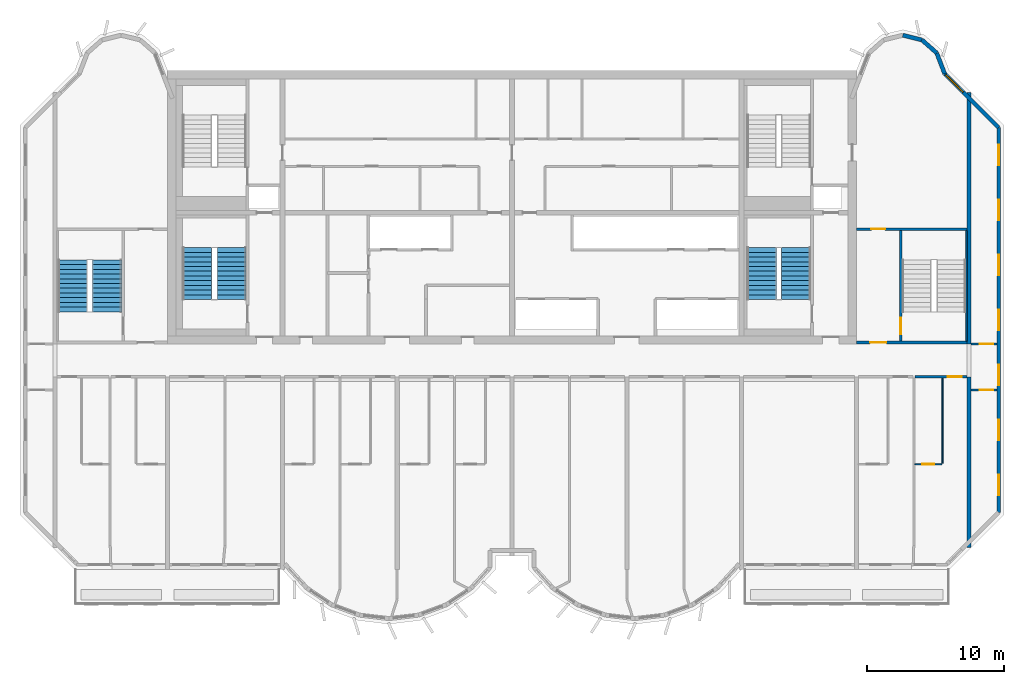
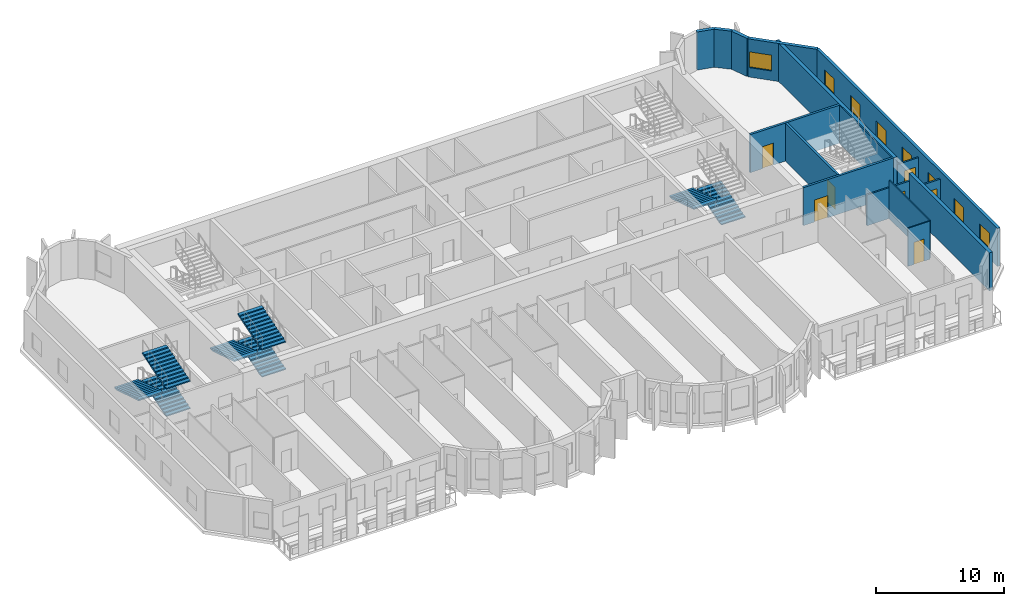
# One storey, part 8 of 11: 16 walls, 8 stair flights, 8 windows, 7 doors, 15 openings, 3 elements without a shape of their own.
"""IFC4 building model written with IfcOpenShell, lengths in metres."""

from ifc_helpers import new_model, si_unit, direction, frame, frame_2d, origin, place, context, subcontext, project, spatial, polyline, rectangle, outline, extrude, source, transform, mapped, material, layer, layer_set, type_object, element, fill, aggregate, save


model = new_model("IFC4")

# Units and contexts
model_context = context("Model", 3, precision=1e-05, world=origin(), true_north=direction((0.0, 1.0)))
body_context = subcontext(model_context, "Body", "Model", "MODEL_VIEW")
ifc_project = project(units=[si_unit("LENGTHUNIT", "METRE"), si_unit("AREAUNIT", "SQUARE_METRE"), si_unit("VOLUMEUNIT", "CUBIC_METRE"), si_unit("PLANEANGLEUNIT", "RADIAN"), si_unit("MASSUNIT", "GRAM", prefix="KILO")], contexts=[model_context])

# Site, building, storey
site_placement = place(None, origin())
site = spatial("IfcSite", under=ifc_project, at=site_placement, CompositionType="ELEMENT")
building_placement = place(site_placement, origin())
building = spatial("IfcBuilding", under=site, at=building_placement, Name="Vanashikhar Sky Hotel", CompositionType="ELEMENT")
storey_placement = place(building_placement, frame((0.0, 0.0, 245.199951171875)))
storey = spatial("IfcBuildingStorey", under=building, at=storey_placement, Name="L59", CompositionType="ELEMENT", Elevation=245.199951171875)

# Walls
ifc_material_1 = material(Name="Concrete M60", Category="concrete")
ifc_layer_1 = layer(ifc_material_1, 0.300048828125)
ifc_layer_set_1 = layer_set([ifc_layer_1], Name="RC shear wall 300 Concrete M60")
wall_type_1 = type_object("IfcWallType", Name="RC shear wall 300 Concrete M60", PredefinedType="SHEAR", material=ifc_layer_set_1)
shared_shape_1 = source(origin(), body_context, "Body", "SweptSolid", [
    extrude(rectangle(XDim=12.5, YDim=0.300048828125, at=frame_2d((6.25, 0.0))), origin(), (0.0, 0.0, 1.0), 3.6201171875),
])
wall_1_placement = place(storey_placement, frame((83.85009765625, 7.10009765625, 0.0), z_axis=(0.0, 0.0, 1.0), x_axis=(0.0, 1.0, 0.0)))
element("IfcWall", 1, at=wall_1_placement, inside=storey, type_object=wall_type_1, Name="CW-L59-XW11-1", PredefinedType="SHEAR", context=body_context, shape_type="MappedRepresentation", body=[
    mapped(shared_shape_1, transform((0.0, 0.0, 0.0), scale=1.0)),
])
shared_shape_2 = source(origin(), body_context, "Body", "SweptSolid", [
    extrude(rectangle(XDim=18.39990234375, YDim=0.300048828125, at=frame_2d((9.199951171875, 0.0))), origin(), (0.0, 0.0, 1.0), 3.6201171875),
])
wall_2_placement = place(storey_placement, frame((83.85009765625, 22.0, 0.0), z_axis=(0.0, 0.0, 1.0), x_axis=(0.0, 1.0, 0.0)))
element("IfcWall", 2, at=wall_2_placement, inside=storey, type_object=wall_type_1, Name="CW-L59-XW11-2", PredefinedType="SHEAR", context=body_context, shape_type="MappedRepresentation", body=[
    mapped(shared_shape_2, transform((0.0, 0.0, 0.0), scale=1.0)),
])

# Wall, opening, window
ifc_material_2 = material(Name="Concrete M50", Category="concrete")
ifc_layer_2 = layer(ifc_material_2, 0.300048828125)
ifc_layer_set_2 = layer_set([ifc_layer_2], Name="Lobe wall 300")
wall_type_2 = type_object("IfcWallType", Name="Lobe wall 300", PredefinedType="SOLIDWALL", material=ifc_layer_set_2)
shared_shape_3 = source(origin(), body_context, "Body", "SweptSolid", [
    extrude(rectangle(XDim=5.576416015625, YDim=0.300048828125, at=frame_2d((2.7880859375, 0.0))), origin(), (0.0, 0.0, 1.0), 3.6201171875),
])
wall_3_placement = place(storey_placement, frame((86.0, 37.834228515625, 0.0), z_axis=(0.0, 0.0, 1.0), x_axis=(-0.707106781187, 0.707106781187, 0.0)))
wall_3 = element("IfcWall", 3, at=wall_3_placement, inside=storey, type_object=wall_type_2, Name="Corner wall", PredefinedType="SOLIDWALL", context=body_context, shape_type="MappedRepresentation", body=[
    mapped(shared_shape_3, transform((0.0, 0.0, 0.0), scale=1.0)),
])
shared_shape_4 = source(origin(), body_context, "Body", "SweptSolid", [
    extrude(rectangle(XDim=1.800048828125, YDim=1.5, at=frame_2d((0.89990234375, 0.75))), frame((0.0, 0.16015625, 0.0), z_axis=(0.0, -1.0, 0.0), x_axis=(1.0, 0.0, 0.0)), (0.0, 0.0, 1.0), 0.320068359375),
])
opening_1_placement = place(wall_3_placement, frame((3.658447265625, 0.0, 0.89990234375)))
opening_1 = element("IfcOpeningElement", 4, at=opening_1_placement, cuts=wall_3, Name="Opening WN-4", PredefinedType="OPENING", context=body_context, shape_type="MappedRepresentation", body=[
    mapped(shared_shape_4, transform((0.0, 0.0, 0.0), scale=1.0)),
])
ifc_material_3 = material(Name="Glass", Category="glass")
window_type_1 = type_object("IfcWindowType", Name="Corner window 1800 x 1500", PartitioningType="SINGLE_PANEL", PredefinedType="WINDOW", material=ifc_material_3)
shared_shape_5 = source(origin(), body_context, "Body", "SweptSolid", [
    extrude(rectangle(XDim=1.800048828125, YDim=1.5, at=frame_2d((0.89990234375, 0.75))), frame((0.0, 0.030029296875, 0.0), z_axis=(0.0, -1.0, 0.0), x_axis=(1.0, 0.0, 0.0)), (0.0, 0.0, 1.0), 0.06005859375),
])
window_1_placement = place(opening_1_placement, origin())
window_1 = element("IfcWindow", 5, at=window_1_placement, inside=storey, type_object=window_type_1, Name="Window WN-4", OverallHeight=1.5, OverallWidth=1.800048828125, PartitioningType="SINGLE_PANEL", PredefinedType="WINDOW", context=body_context, shape_type="MappedRepresentation", body=[
    mapped(shared_shape_5, transform((0.0, 0.0, 0.0), scale=1.0)),
])
fill(opening_1, window_1)

# Walls
shared_shape_6 = source(origin(), body_context, "Body", "SweptSolid", [
    extrude(rectangle(XDim=1.6220703125, YDim=0.300048828125, at=frame_2d((0.81103515625, 0.0))), origin(), (0.0, 0.0, 1.0), 3.6201171875),
])
wall_4_placement = place(storey_placement, frame((82.056884765625, 41.77734375, 0.0), z_axis=(0.0, 0.0, 1.0), x_axis=(-0.357778527068, 0.933806471154, 0.0)))
element("IfcWall", 6, at=wall_4_placement, inside=storey, type_object=wall_type_2, Name="Lobe wall", PredefinedType="SOLIDWALL", context=body_context, shape_type="MappedRepresentation", body=[
    mapped(shared_shape_6, transform((0.0, 0.0, 0.0), scale=1.0)),
])
shared_shape_7 = source(origin(), body_context, "Body", "SweptSolid", [
    extrude(rectangle(XDim=1.43994140625, YDim=0.300048828125, at=frame_2d((0.719970703125, 0.0))), origin(), (0.0, 0.0, 1.0), 3.6201171875),
])
wall_5_placement = place(storey_placement, frame((81.4765625, 43.2919921875, 0.0), z_axis=(0.0, 0.0, 1.0), x_axis=(-0.74957555648, 0.661918790432, 0.0)))
element("IfcWall", 7, at=wall_5_placement, inside=storey, type_object=wall_type_2, Name="Lobe wall", PredefinedType="SOLIDWALL", context=body_context, shape_type="MappedRepresentation", body=[
    mapped(shared_shape_7, transform((0.0, 0.0, 0.0), scale=1.0)),
])
shared_shape_8 = source(origin(), body_context, "Body", "SweptSolid", [
    extrude(rectangle(XDim=1.438720703125, YDim=0.300048828125, at=frame_2d((0.71923828125, 0.0))), origin(), (0.0, 0.0, 1.0), 3.6201171875),
])
wall_6_placement = place(storey_placement, frame((80.397216796875, 44.2451171875, 0.0), z_axis=(0.0, 0.0, 1.0), x_axis=(-0.971161932466, 0.238420848351, 0.0)))
element("IfcWall", 8, at=wall_6_placement, inside=storey, type_object=wall_type_2, Name="Lobe wall", PredefinedType="SOLIDWALL", context=body_context, shape_type="MappedRepresentation", body=[
    mapped(shared_shape_8, transform((0.0, 0.0, 0.0), scale=1.0)),
])

# Wall, openings, windows
ifc_layer_3 = layer(ifc_material_2, 0.25)
ifc_layer_set_3 = layer_set([ifc_layer_3], Name="Rear and end board-marked wall 250")
wall_type_3 = type_object("IfcWallType", Name="Rear and end board-marked wall 250", PredefinedType="SOLIDWALL", material=ifc_layer_set_3)
shared_shape_9 = source(origin(), body_context, "Body", "SweptSolid", [
    extrude(rectangle(XDim=28.189453125, YDim=0.25, at=frame_2d((14.0947265625, 0.0))), origin(), (0.0, 0.0, 1.0), 3.6201171875),
])
wall_7_placement = place(storey_placement, frame((86.02490234375, 9.6552734375, 0.0), z_axis=(0.0, 0.0, 1.0), x_axis=(0.0, 1.0, 0.0)))
wall_7 = element("IfcWall", 9, at=wall_7_placement, inside=storey, type_object=wall_type_3, Name="End board-marked wall", PredefinedType="SOLIDWALL", context=body_context, shape_type="MappedRepresentation", body=[
    mapped(shared_shape_9, transform((0.0, 0.0, 0.0), scale=1.0)),
])
shared_shape_10 = source(origin(), body_context, "Body", "SweptSolid", [
    extrude(rectangle(XDim=1.5, YDim=1.5, at=frame_2d((0.75, 0.75))), frame((0.0, 0.135009765625, 0.0), z_axis=(0.0, -1.0, 0.0), x_axis=(1.0, 0.0, 0.0)), (0.0, 0.0, 1.0), 0.27001953125),
])
opening_2_placement = place(wall_7_placement, frame((1.263427734375, 0.0, 0.89990234375)))
opening_2 = element("IfcOpeningElement", 10, at=opening_2_placement, cuts=wall_7, Name="Opening WN-1", PredefinedType="OPENING", context=body_context, shape_type="MappedRepresentation", body=[
    mapped(shared_shape_10, transform((0.0, 0.0, 0.0), scale=1.0)),
])
opening_3_placement = place(wall_7_placement, frame((5.29052734375, 0.0, 0.89990234375)))
opening_3 = element("IfcOpeningElement", 11, at=opening_3_placement, cuts=wall_7, Name="Opening WN-1", PredefinedType="OPENING", context=body_context, shape_type="MappedRepresentation", body=[
    mapped(shared_shape_10, transform((0.0, 0.0, 0.0), scale=1.0)),
])
opening_4_placement = place(wall_7_placement, frame((9.317626953125, 0.0, 0.89990234375)))
opening_4 = element("IfcOpeningElement", 12, at=opening_4_placement, cuts=wall_7, Name="Opening WN-1", PredefinedType="OPENING", context=body_context, shape_type="MappedRepresentation", body=[
    mapped(shared_shape_10, transform((0.0, 0.0, 0.0), scale=1.0)),
])
opening_5_placement = place(wall_7_placement, frame((13.3447265625, 0.0, 0.89990234375)))
opening_5 = element("IfcOpeningElement", 13, at=opening_5_placement, cuts=wall_7, Name="Opening WN-1", PredefinedType="OPENING", context=body_context, shape_type="MappedRepresentation", body=[
    mapped(shared_shape_10, transform((0.0, 0.0, 0.0), scale=1.0)),
])
opening_6_placement = place(wall_7_placement, frame((17.371826171875, 0.0, 0.89990234375)))
opening_6 = element("IfcOpeningElement", 14, at=opening_6_placement, cuts=wall_7, Name="Opening WN-1", PredefinedType="OPENING", context=body_context, shape_type="MappedRepresentation", body=[
    mapped(shared_shape_10, transform((0.0, 0.0, 0.0), scale=1.0)),
])
opening_7_placement = place(wall_7_placement, frame((21.398681640625, 0.0, 0.89990234375)))
opening_7 = element("IfcOpeningElement", 15, at=opening_7_placement, cuts=wall_7, Name="Opening WN-1", PredefinedType="OPENING", context=body_context, shape_type="MappedRepresentation", body=[
    mapped(shared_shape_10, transform((0.0, 0.0, 0.0), scale=1.0)),
])
opening_8_placement = place(wall_7_placement, frame((25.42578125, 0.0, 0.89990234375)))
opening_8 = element("IfcOpeningElement", 16, at=opening_8_placement, cuts=wall_7, Name="Opening WN-1", PredefinedType="OPENING", context=body_context, shape_type="MappedRepresentation", body=[
    mapped(shared_shape_10, transform((0.0, 0.0, 0.0), scale=1.0)),
])
window_type_2 = type_object("IfcWindowType", Name="Window 1500 x 1500", PartitioningType="SINGLE_PANEL", PredefinedType="WINDOW", material=ifc_material_3)
shared_shape_11 = source(origin(), body_context, "Body", "SweptSolid", [
    extrude(rectangle(XDim=1.5, YDim=1.5, at=frame_2d((0.75, 0.75))), frame((0.0, 0.030029296875, 0.0), z_axis=(0.0, -1.0, 0.0), x_axis=(1.0, 0.0, 0.0)), (0.0, 0.0, 1.0), 0.06005859375),
])
window_2_placement = place(opening_2_placement, origin())
window_2 = element("IfcWindow", 17, at=window_2_placement, inside=storey, type_object=window_type_2, Name="Window WN-1", OverallHeight=1.5, OverallWidth=1.5, PartitioningType="SINGLE_PANEL", PredefinedType="WINDOW", context=body_context, shape_type="MappedRepresentation", body=[
    mapped(shared_shape_11, transform((0.0, 0.0, 0.0), scale=1.0)),
])
fill(opening_2, window_2)
window_3_placement = place(opening_3_placement, origin())
window_3 = element("IfcWindow", 18, at=window_3_placement, inside=storey, type_object=window_type_2, Name="Window WN-1", OverallHeight=1.5, OverallWidth=1.5, PartitioningType="SINGLE_PANEL", PredefinedType="WINDOW", context=body_context, shape_type="MappedRepresentation", body=[
    mapped(shared_shape_11, transform((0.0, 0.0, 0.0), scale=1.0)),
])
fill(opening_3, window_3)
window_4_placement = place(opening_4_placement, origin())
window_4 = element("IfcWindow", 19, at=window_4_placement, inside=storey, type_object=window_type_2, Name="Window WN-1", OverallHeight=1.5, OverallWidth=1.5, PartitioningType="SINGLE_PANEL", PredefinedType="WINDOW", context=body_context, shape_type="MappedRepresentation", body=[
    mapped(shared_shape_11, transform((0.0, 0.0, 0.0), scale=1.0)),
])
fill(opening_4, window_4)
window_5_placement = place(opening_5_placement, origin())
window_5 = element("IfcWindow", 20, at=window_5_placement, inside=storey, type_object=window_type_2, Name="Window WN-1", OverallHeight=1.5, OverallWidth=1.5, PartitioningType="SINGLE_PANEL", PredefinedType="WINDOW", context=body_context, shape_type="MappedRepresentation", body=[
    mapped(shared_shape_11, transform((0.0, 0.0, 0.0), scale=1.0)),
])
fill(opening_5, window_5)
window_6_placement = place(opening_6_placement, origin())
window_6 = element("IfcWindow", 21, at=window_6_placement, inside=storey, type_object=window_type_2, Name="Window WN-1", OverallHeight=1.5, OverallWidth=1.5, PartitioningType="SINGLE_PANEL", PredefinedType="WINDOW", context=body_context, shape_type="MappedRepresentation", body=[
    mapped(shared_shape_11, transform((0.0, 0.0, 0.0), scale=1.0)),
])
fill(opening_6, window_6)
window_7_placement = place(opening_7_placement, origin())
window_7 = element("IfcWindow", 22, at=window_7_placement, inside=storey, type_object=window_type_2, Name="Window WN-1", OverallHeight=1.5, OverallWidth=1.5, PartitioningType="SINGLE_PANEL", PredefinedType="WINDOW", context=body_context, shape_type="MappedRepresentation", body=[
    mapped(shared_shape_11, transform((0.0, 0.0, 0.0), scale=1.0)),
])
fill(opening_7, window_7)
window_8_placement = place(opening_8_placement, origin())
window_8 = element("IfcWindow", 23, at=window_8_placement, inside=storey, type_object=window_type_2, Name="Window WN-1", OverallHeight=1.5, OverallWidth=1.5, PartitioningType="SINGLE_PANEL", PredefinedType="WINDOW", context=body_context, shape_type="MappedRepresentation", body=[
    mapped(shared_shape_11, transform((0.0, 0.0, 0.0), scale=1.0)),
])
fill(opening_8, window_8)

# Wall, opening, door
ifc_layer_4 = layer(ifc_material_2, 0.199951171875)
ifc_layer_set_4 = layer_set([ifc_layer_4], Name="Stair wall 200")
wall_type_4 = type_object("IfcWallType", Name="Stair wall 200", PredefinedType="SOLIDWALL", material=ifc_layer_set_4)
shared_shape_12 = source(origin(), body_context, "Body", "SweptSolid", [
    extrude(rectangle(XDim=8.2998046875, YDim=0.199951171875, at=frame_2d((4.14990234375, 0.0))), origin(), (0.0, 0.0, 1.0), 3.6201171875),
])
wall_8_placement = place(storey_placement, frame((78.85009765625, 22.10009765625, 0.0), z_axis=(0.0, 0.0, 1.0), x_axis=(0.0, 1.0, 0.0)))
wall_8 = element("IfcWall", 24, at=wall_8_placement, inside=storey, type_object=wall_type_4, Name="Stair wall 200", PredefinedType="SOLIDWALL", context=body_context, shape_type="MappedRepresentation", body=[
    mapped(shared_shape_12, transform((0.0, 0.0, 0.0), scale=1.0)),
])
shared_shape_13 = source(origin(), body_context, "Body", "SweptSolid", [
    extrude(rectangle(XDim=1.199951171875, YDim=2.10009765625, at=frame_2d((0.60009765625, 1.050048828125))), frame((0.0, 0.10986328125, 0.0), z_axis=(0.0, -1.0, 0.0), x_axis=(1.0, 0.0, 0.0)), (0.0, 0.0, 1.0), 0.219970703125),
])
opening_9_placement = place(wall_8_placement, frame((0.60009765625, 0.0, 0.0)))
opening_9 = element("IfcOpeningElement", 25, at=opening_9_placement, cuts=wall_8, Name="Opening DC-1", PredefinedType="OPENING", context=body_context, shape_type="MappedRepresentation", body=[
    mapped(shared_shape_13, transform((0.0, 0.0, 0.0), scale=1.0)),
])
ifc_material_4 = material(Name="Steel", Category="steel")
door_type_1 = type_object("IfcDoorType", Name="Stair door 1200 FD120", OperationType="NOTDEFINED", PredefinedType="DOOR", material=ifc_material_4)
shared_shape_14 = source(origin(), body_context, "Body", "SweptSolid", [
    extrude(rectangle(XDim=1.199951171875, YDim=2.10009765625, at=frame_2d((0.60009765625, 1.050048828125))), frame((0.0, 0.02490234375, 0.0), z_axis=(0.0, -1.0, 0.0), x_axis=(1.0, 0.0, 0.0)), (0.0, 0.0, 1.0), 0.050048828125),
])
door_1_placement = place(opening_9_placement, origin())
door_1 = element("IfcDoor", 26, at=door_1_placement, inside=storey, type_object=door_type_1, Name="Stair door 1200 FD120", OperationType="SINGLE_SWING_LEFT", OverallHeight=2.10009765625, OverallWidth=1.199951171875, PredefinedType="DOOR", context=body_context, shape_type="MappedRepresentation", body=[
    mapped(shared_shape_14, transform((0.0, 0.0, 0.0), scale=1.0)),
])
fill(opening_9, door_1)

shared_shape_15 = source(origin(), body_context, "Body", "SweptSolid", [
    extrude(rectangle(XDim=8.099853515625, YDim=0.199951171875, at=frame_2d((4.0498046875, 0.0))), origin(), (0.0, 0.0, 1.0), 3.6201171875),
])
wall_9_placement = place(storey_placement, frame((83.699951171875, 22.10009765625, 0.0), z_axis=(0.0, 0.0, 1.0), x_axis=(-1.0, 0.0, 0.0)))
wall_9 = element("IfcWall", 27, at=wall_9_placement, inside=storey, type_object=wall_type_4, Name="Stair wall 200", PredefinedType="SOLIDWALL", context=body_context, shape_type="MappedRepresentation", body=[
    mapped(shared_shape_15, transform((0.0, 0.0, 0.0), scale=1.0)),
])
opening_10_placement = place(wall_9_placement, frame((5.89990234375, 0.0, 0.0)))
opening_10 = element("IfcOpeningElement", 28, at=opening_10_placement, cuts=wall_9, Name="Opening DC-2", PredefinedType="OPENING", context=body_context, shape_type="MappedRepresentation", body=[
    mapped(shared_shape_13, transform((0.0, 0.0, 0.0), scale=1.0)),
])
door_type_2 = type_object("IfcDoorType", Name="Firefighting lobby door 1200 FD120", OperationType="NOTDEFINED", PredefinedType="DOOR", material=ifc_material_4)
door_2_placement = place(opening_10_placement, origin())
door_2 = element("IfcDoor", 29, at=door_2_placement, inside=storey, type_object=door_type_2, Name="Firefighting lobby door 1200 FD120", OperationType="SINGLE_SWING_RIGHT", OverallHeight=2.10009765625, OverallWidth=1.199951171875, PredefinedType="DOOR", context=body_context, shape_type="MappedRepresentation", body=[
    mapped(shared_shape_14, transform((0.0, 0.0, 0.0), scale=1.0)),
])
fill(opening_10, door_2)

wall_10_placement = place(storey_placement, frame((83.699951171875, 30.39990234375, 0.0), z_axis=(0.0, 0.0, 1.0), x_axis=(-1.0, 0.0, 0.0)))
wall_10 = element("IfcWall", 30, at=wall_10_placement, inside=storey, type_object=wall_type_4, Name="Stair wall 200", PredefinedType="SOLIDWALL", context=body_context, shape_type="MappedRepresentation", body=[
    mapped(shared_shape_15, transform((0.0, 0.0, 0.0), scale=1.0)),
])
shared_shape_16 = source(origin(), body_context, "Body", "SweptSolid", [
    extrude(rectangle(XDim=1.0, YDim=2.10009765625, at=frame_2d((0.5, 1.050048828125))), frame((0.0, 0.10986328125, 0.0), z_axis=(0.0, -1.0, 0.0), x_axis=(1.0, 0.0, 0.0)), (0.0, 0.0, 1.0), 0.219970703125),
])
opening_11_placement = place(wall_10_placement, frame((6.0, 0.0, 0.0)))
opening_11 = element("IfcOpeningElement", 31, at=opening_11_placement, cuts=wall_10, Name="Opening DC-6", PredefinedType="OPENING", context=body_context, shape_type="MappedRepresentation", body=[
    mapped(shared_shape_16, transform((0.0, 0.0, 0.0), scale=1.0)),
])
door_type_3 = type_object("IfcDoorType", Name="Pocket door 1000 FD60", OperationType="NOTDEFINED", PredefinedType="DOOR", material=ifc_material_4)
shared_shape_17 = source(origin(), body_context, "Body", "SweptSolid", [
    extrude(rectangle(XDim=1.0, YDim=2.10009765625, at=frame_2d((0.5, 1.050048828125))), frame((0.0, 0.02490234375, 0.0), z_axis=(0.0, -1.0, 0.0), x_axis=(1.0, 0.0, 0.0)), (0.0, 0.0, 1.0), 0.050048828125),
])
door_3_placement = place(opening_11_placement, origin())
door_3 = element("IfcDoor", 32, at=door_3_placement, inside=storey, type_object=door_type_3, Name="Pocket door 1000 FD60", OperationType="SINGLE_SWING_RIGHT", OverallHeight=2.10009765625, OverallWidth=1.0, PredefinedType="DOOR", context=body_context, shape_type="MappedRepresentation", body=[
    mapped(shared_shape_17, transform((0.0, 0.0, 0.0), scale=1.0)),
])
fill(opening_11, door_3)

# Wall
ifc_layer_5 = layer(ifc_material_2, 0.10009765625)
ifc_layer_set_5 = layer_set([ifc_layer_5], Name="Stair infill wall 100")
wall_type_5 = type_object("IfcWallType", Name="Stair infill wall 100", PredefinedType="SOLIDWALL", material=ifc_layer_set_5)
shared_shape_18 = source(origin(), body_context, "Body", "SweptSolid", [
    extrude(rectangle(XDim=8.10009765625, YDim=0.10009765625, at=frame_2d((4.050048828125, 0.0))), origin(), (0.0, 0.0, 1.0), 3.6201171875),
])
wall_11_placement = place(storey_placement, frame((83.64990234375, 22.199951171875, 0.0), z_axis=(0.0, 0.0, 1.0), x_axis=(0.0, 1.0, 0.0)))
element("IfcWall", 33, at=wall_11_placement, inside=storey, type_object=wall_type_5, Name="Stair infill wall 100", PredefinedType="SOLIDWALL", context=body_context, shape_type="MappedRepresentation", body=[
    mapped(shared_shape_18, transform((0.0, 0.0, 0.0), scale=1.0)),
])

# Wall, opening, door
ifc_material_5 = material(Name="Gypsum plasterboard partition")
ifc_layer_6 = layer(ifc_material_5, 0.10009765625)
ifc_layer_set_6 = layer_set([ifc_layer_6], Name="Wet room partition 100")
wall_type_6 = type_object("IfcWallType", Name="Wet room partition 100", PredefinedType="PARTITIONING", material=ifc_layer_set_6)
shared_shape_19 = source(origin(), body_context, "Body", "SweptSolid", [
    extrude(rectangle(XDim=1.97509765625, YDim=0.10009765625, at=frame_2d((0.987548828125, 0.0))), origin(), (0.0, 0.0, 1.0), 3.6201171875),
])
wall_12_placement = place(storey_placement, frame((79.875, 13.199951171875, 0.0), z_axis=(0.0, 0.0, 1.0), x_axis=(1.0, 0.0, 0.0)))
wall_12 = element("IfcWall", 34, at=wall_12_placement, inside=storey, type_object=wall_type_6, Name="W-L59-PW036", PredefinedType="PARTITIONING", context=body_context, shape_type="MappedRepresentation", body=[
    mapped(shared_shape_19, transform((0.0, 0.0, 0.0), scale=1.0)),
])
shared_shape_20 = source(origin(), body_context, "Body", "SweptSolid", [
    extrude(rectangle(XDim=0.89990234375, YDim=2.10009765625, at=frame_2d((0.449951171875, 1.050048828125))), frame((0.0, 0.06005859375, 0.0), z_axis=(0.0, -1.0, 0.0), x_axis=(1.0, 0.0, 0.0)), (0.0, 0.0, 1.0), 0.1201171875),
])
opening_12_placement = place(wall_12_placement, frame((0.5380859375, 0.0, 0.0)))
opening_12 = element("IfcOpeningElement", 35, at=opening_12_placement, cuts=wall_12, Name="Opening D-02", PredefinedType="OPENING", context=body_context, shape_type="MappedRepresentation", body=[
    mapped(shared_shape_20, transform((0.0, 0.0, 0.0), scale=1.0)),
])
ifc_material_6 = material(Name="Timber door", Category="wood")
door_type_4 = type_object("IfcDoorType", Name="Internal door 900", OperationType="NOTDEFINED", PredefinedType="DOOR", material=ifc_material_6)
shared_shape_21 = source(origin(), body_context, "Body", "SweptSolid", [
    extrude(rectangle(XDim=0.89990234375, YDim=2.10009765625, at=frame_2d((0.449951171875, 1.050048828125))), frame((0.0, 0.02490234375, 0.0), z_axis=(0.0, -1.0, 0.0), x_axis=(1.0, 0.0, 0.0)), (0.0, 0.0, 1.0), 0.050048828125),
])
door_4_placement = place(opening_12_placement, origin())
door_4 = element("IfcDoor", 36, at=door_4_placement, inside=storey, type_object=door_type_4, Name="D-L59-022", OperationType="SINGLE_SWING_RIGHT", OverallHeight=2.10009765625, OverallWidth=0.89990234375, PredefinedType="DOOR", context=body_context, shape_type="MappedRepresentation", body=[
    mapped(shared_shape_21, transform((0.0, 0.0, 0.0), scale=1.0)),
])
fill(opening_12, door_4)

ifc_layer_7 = layer(ifc_material_5, 0.14990234375)
ifc_layer_set_7 = layer_set([ifc_layer_7], Name="Corridor and demising partition 150")
wall_type_7 = type_object("IfcWallType", Name="Corridor and demising partition 150", PredefinedType="PARTITIONING", material=ifc_layer_set_7)
shared_shape_22 = source(origin(), body_context, "Body", "SweptSolid", [
    extrude(rectangle(XDim=3.824951171875, YDim=0.14990234375, at=frame_2d((1.91259765625, 0.0))), origin(), (0.0, 0.0, 1.0), 2.920166015625),
])
wall_13_placement = place(storey_placement, frame((79.875, 19.60009765625, 0.0), z_axis=(0.0, 0.0, 1.0), x_axis=(1.0, 0.0, 0.0)))
wall_13 = element("IfcWall", 37, at=wall_13_placement, inside=storey, type_object=wall_type_7, Name="W-L59-PW037", PredefinedType="PARTITIONING", context=body_context, shape_type="MappedRepresentation", body=[
    mapped(shared_shape_22, transform((0.0, 0.0, 0.0), scale=1.0)),
])
shared_shape_23 = source(origin(), body_context, "Body", "SweptSolid", [
    extrude(rectangle(XDim=1.0, YDim=2.10009765625, at=frame_2d((0.5, 1.050048828125))), frame((0.0, 0.0849609375, 0.0), z_axis=(0.0, -1.0, 0.0), x_axis=(1.0, 0.0, 0.0)), (0.0, 0.0, 1.0), 0.169921875),
])
opening_13_placement = place(wall_13_placement, frame((2.425048828125, 0.0, 0.0)))
opening_13 = element("IfcOpeningElement", 38, at=opening_13_placement, cuts=wall_13, Name="Opening D-01", PredefinedType="OPENING", context=body_context, shape_type="MappedRepresentation", body=[
    mapped(shared_shape_23, transform((0.0, 0.0, 0.0), scale=1.0)),
])
ifc_material_7 = material(Name="Timber fire door", Category="wood")
door_type_5 = type_object("IfcDoorType", Name="Guest entry door 1000 FD30S", OperationType="NOTDEFINED", PredefinedType="DOOR", material=ifc_material_7)
door_5_placement = place(opening_13_placement, origin())
door_5 = element("IfcDoor", 39, at=door_5_placement, inside=storey, type_object=door_type_5, Name="D-L59-023", OperationType="SINGLE_SWING_RIGHT", OverallHeight=2.10009765625, OverallWidth=1.0, PredefinedType="DOOR", context=body_context, shape_type="MappedRepresentation", body=[
    mapped(shared_shape_17, transform((0.0, 0.0, 0.0), scale=1.0)),
])
fill(opening_13, door_5)

shared_shape_24 = source(origin(), body_context, "Body", "SweptSolid", [
    extrude(rectangle(XDim=1.89990234375, YDim=0.14990234375, at=frame_2d((0.949951171875, 0.0))), origin(), (0.0, 0.0, 1.0), 2.920166015625),
])
wall_14_placement = place(storey_placement, frame((84.0, 22.0, 0.0), z_axis=(0.0, 0.0, 1.0), x_axis=(1.0, 0.0, 0.0)))
wall_14 = element("IfcWall", 40, at=wall_14_placement, inside=storey, type_object=wall_type_7, Name="W-L59-PW042", PredefinedType="PARTITIONING", context=body_context, shape_type="MappedRepresentation", body=[
    mapped(shared_shape_24, transform((0.0, 0.0, 0.0), scale=1.0)),
])
opening_14_placement = place(wall_14_placement, frame((0.625, 0.0, 0.0)))
opening_14 = element("IfcOpeningElement", 41, at=opening_14_placement, cuts=wall_14, Name="Opening D-01", PredefinedType="OPENING", context=body_context, shape_type="MappedRepresentation", body=[
    mapped(shared_shape_23, transform((0.0, 0.0, 0.0), scale=1.0)),
])
door_6_placement = place(opening_14_placement, origin())
door_6 = element("IfcDoor", 42, at=door_6_placement, inside=storey, type_object=door_type_5, Name="D-L59-025", OperationType="SINGLE_SWING_RIGHT", OverallHeight=2.10009765625, OverallWidth=1.0, PredefinedType="DOOR", context=body_context, shape_type="MappedRepresentation", body=[
    mapped(shared_shape_17, transform((0.0, 0.0, 0.0), scale=1.0)),
])
fill(opening_14, door_6)

wall_15_placement = place(storey_placement, frame((84.0, 18.6279296875, 0.0), z_axis=(0.0, 0.0, 1.0), x_axis=(1.0, 0.0, 0.0)))
wall_15 = element("IfcWall", 43, at=wall_15_placement, inside=storey, type_object=wall_type_7, Name="W-L59-PW044", PredefinedType="PARTITIONING", context=body_context, shape_type="MappedRepresentation", body=[
    mapped(shared_shape_24, transform((0.0, 0.0, 0.0), scale=1.0)),
])
opening_15_placement = place(wall_15_placement, frame((0.625, 0.0, 0.0)))
opening_15 = element("IfcOpeningElement", 44, at=opening_15_placement, cuts=wall_15, Name="Opening D-01", PredefinedType="OPENING", context=body_context, shape_type="MappedRepresentation", body=[
    mapped(shared_shape_23, transform((0.0, 0.0, 0.0), scale=1.0)),
])
door_7_placement = place(opening_15_placement, origin())
door_7 = element("IfcDoor", 45, at=door_7_placement, inside=storey, type_object=door_type_5, Name="D-L59-027", OperationType="SINGLE_SWING_RIGHT", OverallHeight=2.10009765625, OverallWidth=1.0, PredefinedType="DOOR", context=body_context, shape_type="MappedRepresentation", body=[
    mapped(shared_shape_17, transform((0.0, 0.0, 0.0), scale=1.0)),
])
fill(opening_15, door_7)

# Wall
shared_shape_25 = source(origin(), body_context, "Body", "SweptSolid", [
    extrude(rectangle(XDim=6.25, YDim=0.10009765625, at=frame_2d((3.125, 0.0))), origin(), (0.0, 0.0, 1.0), 3.6201171875),
])
wall_16_placement = place(storey_placement, frame((81.89990234375, 13.27490234375, 0.0), z_axis=(0.0, 0.0, 1.0), x_axis=(0.0, 1.0, 0.0)))
element("IfcWall", 46, at=wall_16_placement, inside=storey, type_object=wall_type_6, Name="W-L59-PW035", PredefinedType="PARTITIONING", context=body_context, shape_type="MappedRepresentation", body=[
    mapped(shared_shape_25, transform((0.0, 0.0, 0.0), scale=1.0)),
])

# Stair, stair flights
ifc_material_8 = material(Name="Concrete M40", Category="concrete")
stair_type = type_object("IfcStairType", Name="Exit stair 2150", PredefinedType="DOUBLE_RETURN_STAIR", material=ifc_material_8)
stair_1_placement = place(storey_placement, origin())
stair_1 = element("IfcStair", 47, at=stair_1_placement, inside=storey, type_object=stair_type, Name="L59 Exit stair 1", PredefinedType="DOUBLE_RETURN_STAIR")
stair_flight_type = type_object("IfcStairFlightType", Name="Stair flight 2150", PredefinedType="STRAIGHT", material=ifc_material_8)
shared_shape_26 = source(origin(), body_context, "Body", "SweptSolid", [
    extrude(outline(polyline([(0.0, 0.0), (0.0, 0.1083984375), (0.345458984375, 0.1083984375), (0.345458984375, 0.216552734375), (0.69091796875, 0.216552734375), (0.69091796875, 0.324951171875), (1.036376953125, 0.324951171875), (1.036376953125, 0.433349609375), (1.3818359375, 0.433349609375), (1.3818359375, 0.541748046875), (1.727294921875, 0.541748046875), (1.727294921875, 0.64990234375), (2.07275390625, 0.64990234375), (2.07275390625, 0.75830078125), (2.418212890625, 0.75830078125), (2.418212890625, 0.86669921875), (2.763671875, 0.86669921875), (2.763671875, 0.97509765625), (3.109130859375, 0.97509765625), (3.109130859375, 1.083251953125), (3.45458984375, 1.083251953125), (3.45458984375, 1.191650390625), (3.800048828125, 1.191650390625), (3.800048828125, 1.300048828125), (3.800048828125, 1.065673828125), (0.4013671875, 0.0), (0.0, 0.0)])), frame((0.0, 1.074951171875, 0.0), z_axis=(0.0, -1.0, 0.0), x_axis=(1.0, 0.0, 0.0)), (0.0, 0.0, 1.0), 2.14990234375),
])
stair_flight_1_placement = place(storey_placement, frame((29.875, 25.25, 0.0), z_axis=(0.0, 0.0, 1.0), x_axis=(0.0, 1.0, 0.0)))
stair_flight_1 = element("IfcStairFlight", 48, at=stair_flight_1_placement, type_object=stair_flight_type, Name="ST-C1 flight 1", NumberOfRisers=12, NumberOfTreads=11, PredefinedType="STRAIGHT", RiserHeight=0.108333333, TreadLength=0.345454545, context=body_context, shape_type="MappedRepresentation", body=[
    mapped(shared_shape_26, transform((0.0, 0.0, 0.0), scale=1.0)),
])
stair_flight_2_placement = place(storey_placement, frame((27.375, 29.050048828125, 1.300048828125), z_axis=(0.0, 0.0, 1.0), x_axis=(0.0, -1.0, 0.0)))
stair_flight_2 = element("IfcStairFlight", 49, at=stair_flight_2_placement, type_object=stair_flight_type, Name="ST-C1 flight 2", NumberOfRisers=12, NumberOfTreads=11, PredefinedType="STRAIGHT", RiserHeight=0.108333333, TreadLength=0.345454545, context=body_context, shape_type="MappedRepresentation", body=[
    mapped(shared_shape_26, transform((0.0, 0.0, 0.0), scale=1.0)),
])
stair_flight_3_placement = place(storey_placement, frame((29.875, 25.25, 2.60009765625), z_axis=(0.0, 0.0, 1.0), x_axis=(0.0, 1.0, 0.0)))
stair_flight_3 = element("IfcStairFlight", 50, at=stair_flight_3_placement, type_object=stair_flight_type, Name="ST-C1 flight 3", NumberOfRisers=12, NumberOfTreads=11, PredefinedType="STRAIGHT", RiserHeight=0.108333333, TreadLength=0.345454545, context=body_context, shape_type="MappedRepresentation", body=[
    mapped(shared_shape_26, transform((0.0, 0.0, 0.0), scale=1.0)),
])
aggregate(stair_1, [stair_flight_1, stair_flight_2, stair_flight_3])

stair_2_placement = place(storey_placement, origin())
stair_2 = element("IfcStair", 51, at=stair_2_placement, inside=storey, type_object=stair_type, Name="L59 Exit stair 2", PredefinedType="DOUBLE_RETURN_STAIR")
stair_flight_4_placement = place(storey_placement, frame((71.175048828125, 25.25, 0.0), z_axis=(0.0, 0.0, 1.0), x_axis=(0.0, 1.0, 0.0)))
stair_flight_4 = element("IfcStairFlight", 52, at=stair_flight_4_placement, type_object=stair_flight_type, Name="ST-C2 flight 1", NumberOfRisers=12, NumberOfTreads=11, PredefinedType="STRAIGHT", RiserHeight=0.108333333, TreadLength=0.345454545, context=body_context, shape_type="MappedRepresentation", body=[
    mapped(shared_shape_26, transform((0.0, 0.0, 0.0), scale=1.0)),
])
stair_flight_5_placement = place(storey_placement, frame((68.675048828125, 29.050048828125, 1.300048828125), z_axis=(0.0, 0.0, 1.0), x_axis=(0.0, -1.0, 0.0)))
stair_flight_5 = element("IfcStairFlight", 53, at=stair_flight_5_placement, type_object=stair_flight_type, Name="ST-C2 flight 2", NumberOfRisers=12, NumberOfTreads=11, PredefinedType="STRAIGHT", RiserHeight=0.108333333, TreadLength=0.345454545, context=body_context, shape_type="MappedRepresentation", body=[
    mapped(shared_shape_26, transform((0.0, 0.0, 0.0), scale=1.0)),
])
aggregate(stair_2, [stair_flight_4, stair_flight_5])

stair_3_placement = place(storey_placement, origin())
stair_3 = element("IfcStair", 54, at=stair_3_placement, inside=storey, type_object=stair_type, Name="L59 Exit stair 3", PredefinedType="DOUBLE_RETURN_STAIR")
stair_flight_6_placement = place(storey_placement, frame((20.77490234375, 24.35009765625, 0.0), z_axis=(0.0, 0.0, 1.0), x_axis=(0.0, 1.0, 0.0)))
stair_flight_6 = element("IfcStairFlight", 55, at=stair_flight_6_placement, type_object=stair_flight_type, Name="ST-W flight 1", NumberOfRisers=12, NumberOfTreads=11, PredefinedType="STRAIGHT", RiserHeight=0.108333333, TreadLength=0.345454545, context=body_context, shape_type="MappedRepresentation", body=[
    mapped(shared_shape_26, transform((0.0, 0.0, 0.0), scale=1.0)),
])
stair_flight_7_placement = place(storey_placement, frame((18.27490234375, 28.14990234375, 1.300048828125), z_axis=(0.0, 0.0, 1.0), x_axis=(0.0, -1.0, 0.0)))
stair_flight_7 = element("IfcStairFlight", 56, at=stair_flight_7_placement, type_object=stair_flight_type, Name="ST-W flight 2", NumberOfRisers=12, NumberOfTreads=11, PredefinedType="STRAIGHT", RiserHeight=0.108333333, TreadLength=0.345454545, context=body_context, shape_type="MappedRepresentation", body=[
    mapped(shared_shape_26, transform((0.0, 0.0, 0.0), scale=1.0)),
])
stair_flight_8_placement = place(storey_placement, frame((20.77490234375, 24.35009765625, 2.60009765625), z_axis=(0.0, 0.0, 1.0), x_axis=(0.0, 1.0, 0.0)))
stair_flight_8 = element("IfcStairFlight", 57, at=stair_flight_8_placement, type_object=stair_flight_type, Name="ST-W flight 3", NumberOfRisers=12, NumberOfTreads=11, PredefinedType="STRAIGHT", RiserHeight=0.108333333, TreadLength=0.345454545, context=body_context, shape_type="MappedRepresentation", body=[
    mapped(shared_shape_26, transform((0.0, 0.0, 0.0), scale=1.0)),
])
aggregate(stair_3, [stair_flight_6, stair_flight_7, stair_flight_8])

save(model, "model.ifc")
